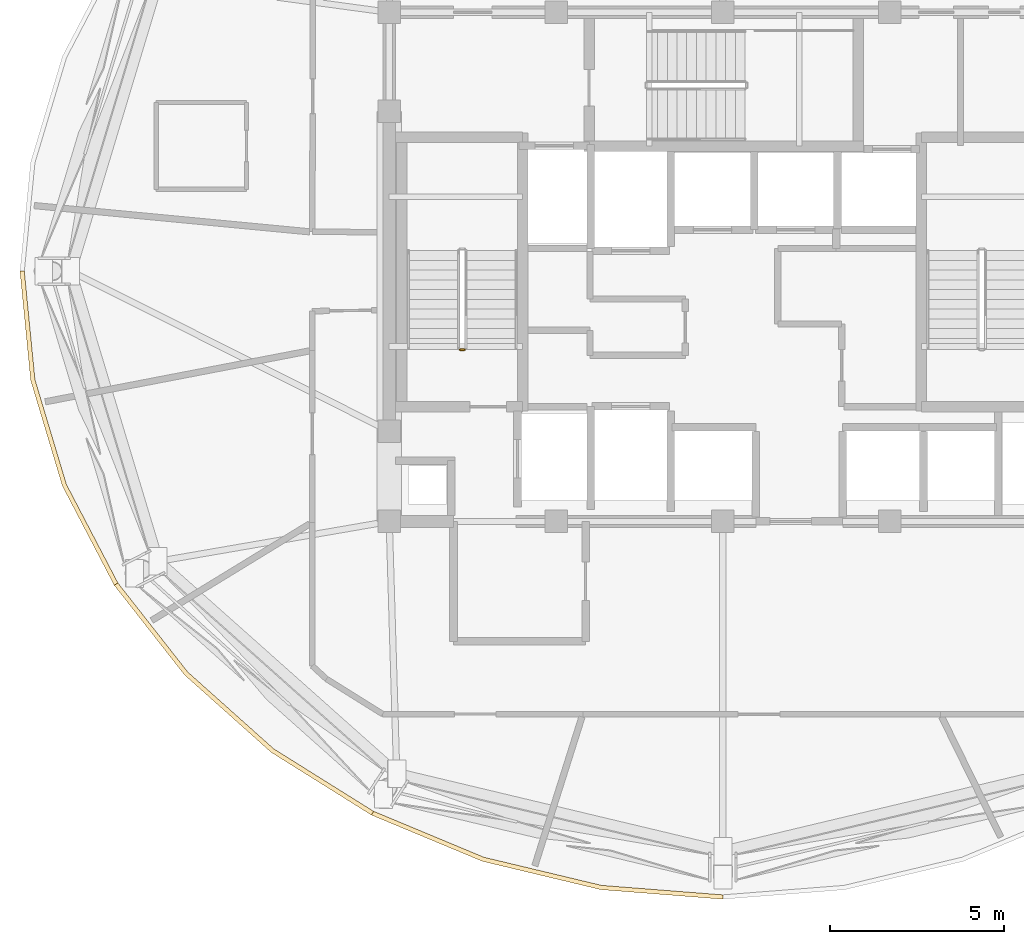
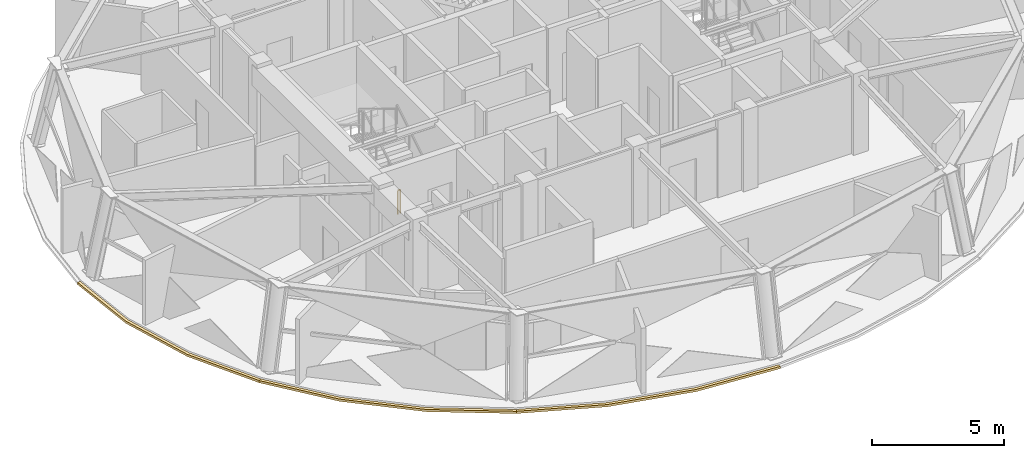
# One storey, part 8 of 11: 3 coverings, 1 railing.
"""IFC4 building model written with IfcOpenShell, lengths in metres."""

from ifc_helpers import new_model, si_unit, direction, frame, origin, origin_2d, place, context, subcontext, project, spatial, polyline, rectangle, outline, extrude, material, layer, layer_set, type_object, element, save


model = new_model("IFC4")

# Units and contexts
model_context = context("Model", 3, precision=1e-05, world=origin(), true_north=direction((0.0, 1.0)))
body_context = subcontext(model_context, "Body", "Model", "MODEL_VIEW")
ifc_project = project(units=[si_unit("LENGTHUNIT", "METRE"), si_unit("AREAUNIT", "SQUARE_METRE"), si_unit("VOLUMEUNIT", "CUBIC_METRE"), si_unit("PLANEANGLEUNIT", "RADIAN"), si_unit("MASSUNIT", "GRAM", prefix="KILO")], contexts=[model_context])

# Site, building, storey
site_placement = place(None, origin())
site = spatial("IfcSite", under=ifc_project, at=site_placement, CompositionType="ELEMENT")
building_placement = place(site_placement, origin())
building = spatial("IfcBuilding", under=site, at=building_placement, Name="Vantalir Tower", CompositionType="ELEMENT")
storey_placement = place(building_placement, frame((0.0, 0.0, 278.85009765625)))
storey = spatial("IfcBuildingStorey", under=building, at=storey_placement, Name="L70", CompositionType="ELEMENT", Elevation=278.85009765625)

# Coverings
ifc_material_1 = material(Name="Anodised champagne aluminium sill fascia", Category="aluminium")
ifc_layer = layer(ifc_material_1, 0.125)
ifc_layer_set = layer_set([ifc_layer], Name="Anodised champagne aluminium sill fascia")
covering_type = type_object("IfcCoveringType", Name="COV-SLAB-FASCIA-125", PredefinedType="CLADDING", material=ifc_layer_set)
covering_1_placement = place(storey_placement, frame((0.0, 0.0, -0.18017578125)))
element("IfcCovering", 1, at=covering_1_placement, inside=storey, type_object=covering_type, Name="L70 Perimeter Slab-Edge Sill Fascia 07", PredefinedType="CLADDING", context=body_context, shape_type="SweptSolid", body=[
    extrude(outline(polyline([(11.27490234375, 25.0), (11.58203125, 21.862060546875), (12.4951171875, 18.819091796875), (13.985107421875, 15.964111328125), (14.093017578125, 16.027099609375), (12.612060546875, 18.862060546875), (11.705078125, 21.884033203125), (11.39990234375, 25.0), (11.27490234375, 25.0)])), origin(), (0.0, 0.0, 1.0), 0.10498046875),
])
covering_2_placement = place(storey_placement, frame((0.0, 0.0, -0.18017578125)))
element("IfcCovering", 2, at=covering_2_placement, inside=storey, type_object=covering_type, Name="L70 Perimeter Slab-Edge Sill Fascia 08", PredefinedType="CLADDING", context=body_context, shape_type="SweptSolid", body=[
    extrude(outline(polyline([(13.985107421875, 15.964111328125), (16.007080078125, 13.384033203125), (18.5, 11.156982421875), (21.386962890625, 9.35009765625), (21.449951171875, 9.4580078125), (18.580078125, 11.2529296875), (16.10302734375, 13.465087890625), (14.093017578125, 16.027099609375), (13.985107421875, 15.964111328125)])), origin(), (0.0, 0.0, 1.0), 0.10498046875),
])
covering_3_placement = place(storey_placement, frame((0.0, 0.0, -0.18017578125)))
element("IfcCovering", 3, at=covering_3_placement, inside=storey, type_object=covering_type, Name="L70 Perimeter Slab-Edge Sill Fascia 09", PredefinedType="CLADDING", context=body_context, shape_type="SweptSolid", body=[
    extrude(outline(polyline([(21.386962890625, 9.35009765625), (24.5830078125, 8.01904296875), (27.988037109375, 7.2041015625), (31.5, 6.928955078125), (31.5, 7.053955078125), (28.010009765625, 7.326904296875), (24.625, 8.135986328125), (21.449951171875, 9.4580078125), (21.386962890625, 9.35009765625)])), origin(), (0.0, 0.0, 1.0), 0.10498046875),
])

# Railing
ifc_material_2 = material(Name="Anodised aluminium and stainless steel guard", Category="steel")
railing_type = type_object("IfcRailingType", Name="RAL-GUARD-1120", PredefinedType="GUARDRAIL", material=ifc_material_2)
railing_placement = place(storey_placement, frame((24.06005859375, 22.739990234375, 0.0)))
element("IfcRailing", 4, at=railing_placement, inside=storey, type_object=railing_type, Name="L70 ST1 stair guard 4", PredefinedType="GUARDRAIL", context=body_context, shape_type="SweptSolid", body=[
    extrude(rectangle(XDim=0.048095703125, YDim=0.048095703125, at=origin_2d()), frame((0.0, 0.0, 1.09619140625), z_axis=(-1.0, 0.0, 0.0), x_axis=(0.0, -1.0, 0.0)), (0.0, 0.0, 1.0), 0.1201171875),
    extrude(rectangle(XDim=0.0419921875, YDim=0.0419921875, at=origin_2d()), origin(), (0.0, 0.0, 1.0), 1.072021484375),
    extrude(rectangle(XDim=0.0419921875, YDim=0.0419921875, at=origin_2d()), frame((-0.1201171875, 0.0, 0.0)), (0.0, 0.0, 1.0), 1.072021484375),
])

save(model, "model.ifc")
